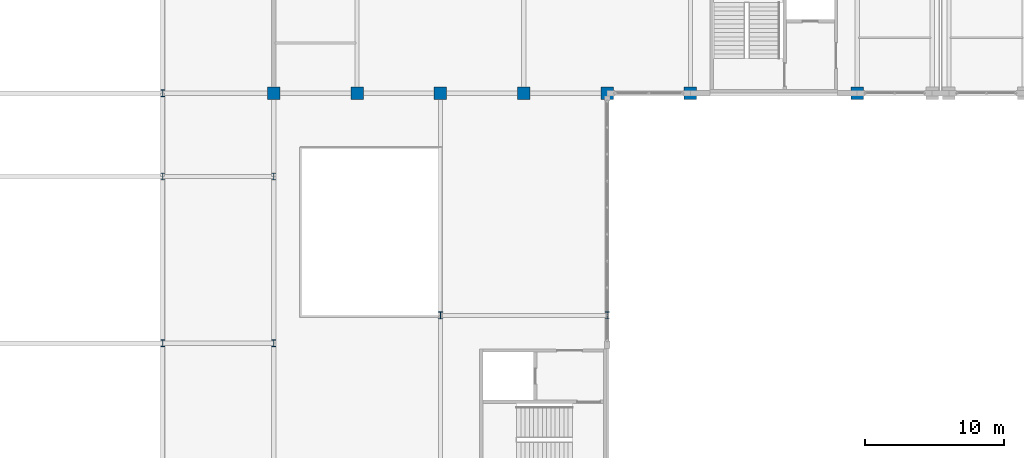
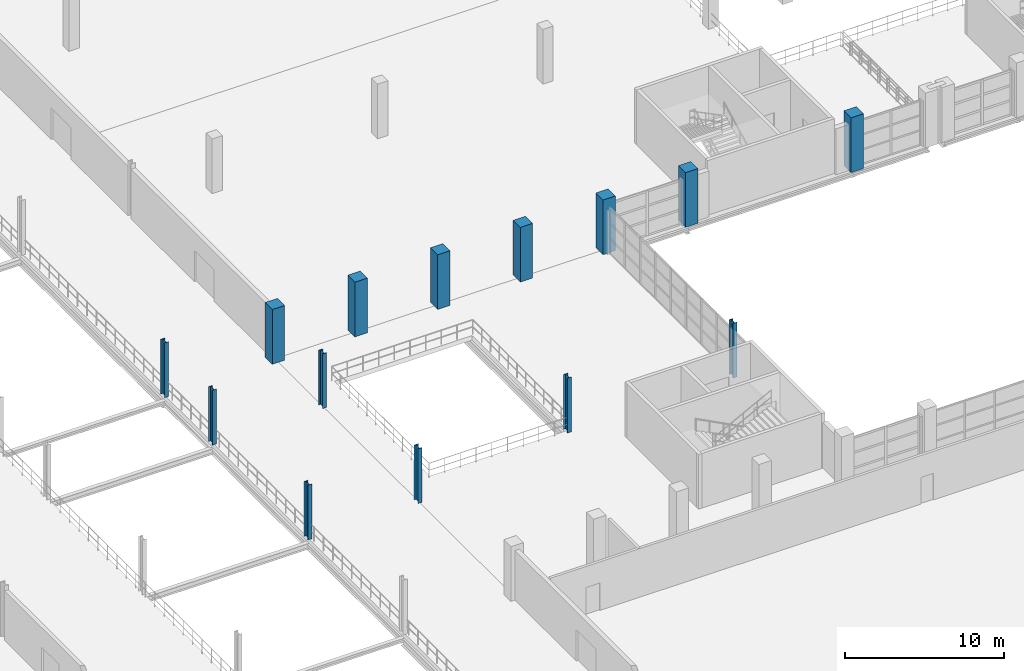
# One storey, part 12 of 158: 14 columns.
"""IFC4 building model written with IfcOpenShell, lengths in metres."""

from ifc_helpers import new_model, si_unit, direction, frame, origin, origin_2d, place, context, subcontext, project, spatial, rectangle, i_section, extrude, material, material_profile, profile_set, type_object, element, save


model = new_model("IFC4")

# Units and contexts
model_context = context("Model", 3, precision=1e-05, world=origin(), true_north=direction((0.0, 1.0)))
body_context = subcontext(model_context, "Body", "Model", "MODEL_VIEW")
ifc_project = project(units=[si_unit("LENGTHUNIT", "METRE"), si_unit("AREAUNIT", "SQUARE_METRE"), si_unit("VOLUMEUNIT", "CUBIC_METRE"), si_unit("PLANEANGLEUNIT", "RADIAN"), si_unit("MASSUNIT", "GRAM", prefix="KILO")], contexts=[model_context])

# Site, building, storey
site_placement = place(None, origin())
site = spatial("IfcSite", under=ifc_project, at=site_placement, CompositionType="ELEMENT")
building_placement = place(site_placement, origin())
building = spatial("IfcBuilding", under=site, at=building_placement, Name="Zilviju Railside Exhibition Hall", CompositionType="ELEMENT")
storey_placement = place(building_placement, frame((0.0, 0.0, 4.199951171875)))
storey = spatial("IfcBuildingStorey", under=building, at=storey_placement, Name="L02", CompositionType="ELEMENT", Elevation=4.199951171875)

# Columns
ifc_material_1 = material(Name="Concrete C40/50", Category="concrete")
ifc_material_profile_1 = material_profile(ifc_material_1, rectangle(XDim=0.89990234375, YDim=0.89990234375, at=origin_2d()), Name="RC COL 900x900")
ifc_profile_set_1 = profile_set([ifc_material_profile_1], Name="Concrete C40/50")
column_type_1 = type_object("IfcColumnType", Name="COL-RC-900", PredefinedType="COLUMN", material=ifc_profile_set_1)
for number, where, z_axis, x_axis, name in (
    (1, (78.0, 84.0, 0.0), (0.0, 0.0, 1.0), (1.0, 0.0, 0.0), "Structural Column L02 (78.0, 84.0)"),
    (2, (84.0, 84.0, 0.0), (0.0, 0.0, 1.0), (1.0, 0.0, 0.0), "Structural Column L02 (84.0, 84.0)"),
    (3, (90.0, 84.0, 0.0), (0.0, 0.0, 1.0), (1.0, 0.0, 0.0), "Structural Column L02 (90.0, 84.0)"),
    (4, (96.0, 84.0, 0.0), (0.0, 0.0, 1.0), (1.0, 0.0, 0.0), "Structural Column L02 (96.0, 84.0)"),
    (5, (102.0, 84.0, 0.0), (0.0, 0.0, 1.0), (1.0, 0.0, 0.0), "Structural Column L02 (102.0, 84.0)"),
    (6, (108.0, 84.0, 0.0), (0.0, 0.0, 1.0), (1.0, 0.0, 0.0), "Structural Column L02 (108.0, 84.0)"),
    (7, (120.0, 84.0, 0.0), (0.0, 0.0, 1.0), (1.0, 0.0, 0.0), "Structural Column L02 (120.0, 84.0)"),
):
    element("IfcColumn", number, at=place(storey_placement, frame(where, z_axis=z_axis, x_axis=x_axis)), inside=storey, type_object=column_type_1, Name=name, PredefinedType="COLUMN", context=body_context, shape_type="SweptSolid", body=[
        extrude(rectangle(XDim=0.89990234375, YDim=0.89990234375, at=origin_2d()), origin(), (0.0, 0.0, 1.0), 4.199951171875),
    ])
ifc_material_2 = material(Name="Steel S355J2", Category="steel")
ifc_material_profile_2 = material_profile(ifc_material_2, i_section(OverallWidth=0.300048828125, OverallDepth=0.5, WebThickness=0.014404296875, FlangeThickness=0.028076171875, at=origin_2d()), Name="HEB 500")
ifc_profile_set_2 = profile_set([ifc_material_profile_2], Name="Steel S355J2")
column_type_2 = type_object("IfcColumnType", Name="COL-ST-HEB500", PredefinedType="COLUMN", material=ifc_profile_set_2)
for number, where, z_axis, x_axis, name in (
    (8, (70.0, 66.0, 0.0), (0.0, 0.0, 1.0), (1.0, 0.0, 0.0), "Structural Column L02 (70.0, 66.0)"),
    (9, (78.0, 66.0, 0.0), (0.0, 0.0, 1.0), (1.0, 0.0, 0.0), "Structural Column L02 (78.0, 66.0)"),
    (10, (90.0, 68.0, 0.0), (0.0, 0.0, 1.0), (1.0, 0.0, 0.0), "Structural Column L02 (90.0, 68.0)"),
    (11, (102.0, 68.0, 0.0), (0.0, 0.0, 1.0), (1.0, 0.0, 0.0), "Structural Column L02 (102.0, 68.0)"),
    (12, (70.0, 78.0, 0.0), (0.0, 0.0, 1.0), (1.0, 0.0, 0.0), "Structural Column L02 (70.0, 78.0)"),
    (13, (78.0, 78.0, 0.0), (0.0, 0.0, 1.0), (1.0, 0.0, 0.0), "Structural Column L02 (78.0, 78.0)"),
    (14, (70.0, 84.0, 0.0), (0.0, 0.0, 1.0), (1.0, 0.0, 0.0), "Structural Column L02 (70.0, 84.0)"),
):
    element("IfcColumn", number, at=place(storey_placement, frame(where, z_axis=z_axis, x_axis=x_axis)), inside=storey, type_object=column_type_2, Name=name, PredefinedType="COLUMN", context=body_context, shape_type="SweptSolid", body=[
        extrude(i_section(OverallWidth=0.300048828125, OverallDepth=0.5, WebThickness=0.014404296875, FlangeThickness=0.028076171875, at=origin_2d()), origin(), (0.0, 0.0, 1.0), 4.199951171875),
    ])

save(model, "model.ifc")
